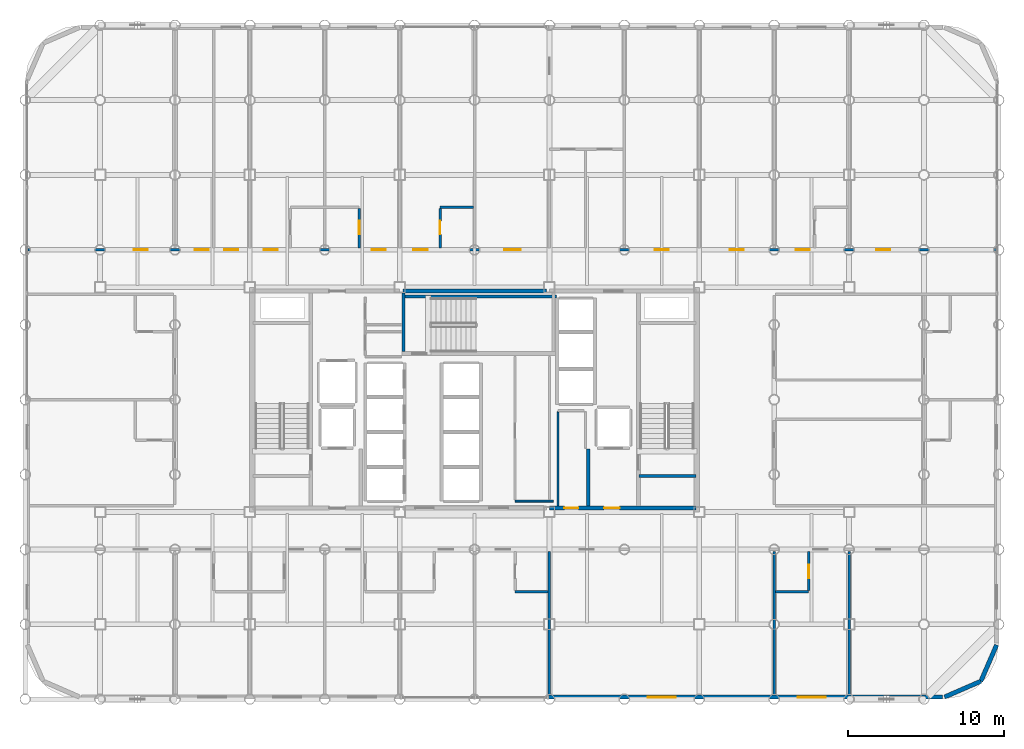
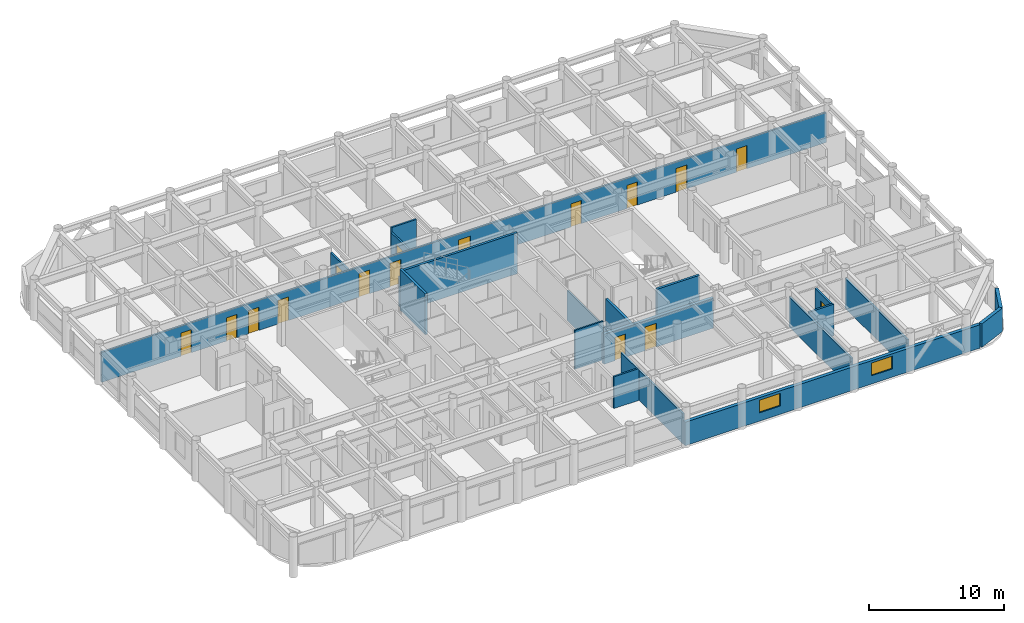
# One storey, part 19 of 22: 21 walls, 16 doors, 2 windows, 18 openings.
"""IFC4 building model written with IfcOpenShell, lengths in metres."""

from ifc_helpers import new_model, si_unit, direction, frame, frame_2d, origin, place, context, subcontext, project, spatial, rectangle, extrude, material, layer, layer_set, type_object, element, fill, save


model = new_model("IFC4")

# Units and contexts
model_context = context("Model", 3, precision=1e-05, world=origin(), true_north=direction((0.0, 1.0)))
body_context = subcontext(model_context, "Body", "Model", "MODEL_VIEW")
ifc_project = project(units=[si_unit("LENGTHUNIT", "METRE"), si_unit("AREAUNIT", "SQUARE_METRE"), si_unit("VOLUMEUNIT", "CUBIC_METRE"), si_unit("PLANEANGLEUNIT", "RADIAN"), si_unit("MASSUNIT", "GRAM", prefix="KILO")], contexts=[model_context])

# Site, building, storey
site_placement = place(None, origin())
site = spatial("IfcSite", under=ifc_project, at=site_placement, CompositionType="ELEMENT")
building_placement = place(site_placement, origin())
building = spatial("IfcBuilding", under=site, at=building_placement, Name="Kallvorn Hotel Tower", CompositionType="ELEMENT")
storey_placement = place(building_placement, frame((0.0, 0.0, 113.699951171875)))
storey = spatial("IfcBuildingStorey", under=building, at=storey_placement, Name="L27", CompositionType="ELEMENT", Elevation=113.699951171875)

# Walls
ifc_material_1 = material(Name="Fire-rated double-layer acoustic gypsum drywall EI 60")
ifc_layer_1 = layer(ifc_material_1, 0.159912109375)
ifc_layer_set_1 = layer_set([ifc_layer_1], Name="WL_DEMISE_160")
wall_type_1 = type_object("IfcWallType", Name="WL_DEMISE_160", PredefinedType="PARTITIONING", material=ifc_layer_set_1)
for number, where, z_axis, x_axis, name in (
    (1, (2.590087890625, -12.320068359375, 0.0), (0.0, 0.0, 1.0), (1.0, 0.0, 0.0), "L27 Suite 2709 Superior Twin Room Partition"),
    (2, (19.280029296875, -12.320068359375, 0.0), (0.0, 0.0, 1.0), (1.0, 0.0, 0.0), "L27 Suite 2710 Superior Twin Room Partition"),
):
    element("IfcWall", number, at=place(storey_placement, frame(where, z_axis=z_axis, x_axis=x_axis)), inside=storey, type_object=wall_type_1, Name=name, PredefinedType="PARTITIONING", context=body_context, shape_type="SweptSolid", body=[
        extrude(rectangle(XDim=2.1298828125, YDim=0.159912109375, at=frame_2d((1.06494140625, 0.0))), origin(), (0.0, 0.0, 1.0), 2.8701171875),
    ])

# Wall, openings, doors
wall_1_placement = place(storey_placement, frame((-28.6298828125, 9.60009765625, 0.0), z_axis=(0.0, 0.0, 1.0), x_axis=(1.0, 0.0, 0.0)))
wall_1 = element("IfcWall", 3, at=wall_1_placement, inside=storey, type_object=wall_type_1, Name="L27 Suite 2711 Standard Twin Room Partition", PredefinedType="PARTITIONING", context=body_context, shape_type="SweptSolid", body=[
    extrude(rectangle(XDim=62.059814453125, YDim=0.159912109375, at=frame_2d((31.02978515625, 0.0))), origin(), (0.0, 0.0, 1.0), 2.719970703125),
])
opening_1_placement = place(wall_1_placement, frame((6.799560546875, 0.0, 0.0)))
opening_1 = element("IfcOpeningElement", 4, at=opening_1_placement, cuts=wall_1, Name="Opening SVD1", PredefinedType="OPENING", context=body_context, shape_type="SweptSolid", body=[
    extrude(rectangle(XDim=0.89990234375, YDim=2.10009765625, at=frame_2d((0.449951171875, 1.050048828125))), frame((0.0, 0.094970703125, 0.0), z_axis=(0.0, -1.0, 0.0), x_axis=(1.0, 0.0, 0.0)), (0.0, 0.0, 1.0), 0.18994140625),
])
opening_2_placement = place(wall_1_placement, frame((54.360595703125, 0.0, 0.0)))
opening_2 = element("IfcOpeningElement", 5, at=opening_2_placement, cuts=wall_1, Name="Opening SVD1", PredefinedType="OPENING", context=body_context, shape_type="SweptSolid", body=[
    extrude(rectangle(XDim=0.89990234375, YDim=2.10009765625, at=frame_2d((0.449951171875, 1.050048828125))), frame((0.0, 0.094970703125, 0.0), z_axis=(0.0, -1.0, 0.0), x_axis=(1.0, 0.0, 0.0)), (0.0, 0.0, 1.0), 0.18994140625),
])
opening_3_placement = place(wall_1_placement, frame((10.68994140625, 0.0, 0.0)))
opening_3 = element("IfcOpeningElement", 6, at=opening_3_placement, cuts=wall_1, Name="Opening SVD1", PredefinedType="OPENING", context=body_context, shape_type="SweptSolid", body=[
    extrude(rectangle(XDim=0.89990234375, YDim=2.10009765625, at=frame_2d((0.449951171875, 1.050048828125))), frame((0.0, 0.094970703125, 0.0), z_axis=(0.0, -1.0, 0.0), x_axis=(1.0, 0.0, 0.0)), (0.0, 0.0, 1.0), 0.18994140625),
])
opening_4_placement = place(wall_1_placement, frame((12.580078125, 0.0, 0.0)))
opening_4 = element("IfcOpeningElement", 7, at=opening_4_placement, cuts=wall_1, Name="Opening SVD1", PredefinedType="OPENING", context=body_context, shape_type="SweptSolid", body=[
    extrude(rectangle(XDim=0.89990234375, YDim=2.10009765625, at=frame_2d((0.449951171875, 1.050048828125))), frame((0.0, 0.094970703125, 0.0), z_axis=(0.0, -1.0, 0.0), x_axis=(1.0, 0.0, 0.0)), (0.0, 0.0, 1.0), 0.18994140625),
])
opening_5_placement = place(wall_1_placement, frame((15.10498046875, 0.0, 0.0)))
opening_5 = element("IfcOpeningElement", 8, at=opening_5_placement, cuts=wall_1, Name="Opening GD1", PredefinedType="OPENING", context=body_context, shape_type="SweptSolid", body=[
    extrude(rectangle(XDim=0.919921875, YDim=2.14990234375, at=frame_2d((0.4599609375, 1.074951171875))), frame((0.0, 0.094970703125, 0.0), z_axis=(0.0, -1.0, 0.0), x_axis=(1.0, 0.0, 0.0)), (0.0, 0.0, 1.0), 0.18994140625),
])
opening_6_placement = place(wall_1_placement, frame((22.034912109375, 0.0, 0.0)))
opening_6 = element("IfcOpeningElement", 9, at=opening_6_placement, cuts=wall_1, Name="Opening GD1", PredefinedType="OPENING", context=body_context, shape_type="SweptSolid", body=[
    extrude(rectangle(XDim=0.919921875, YDim=2.14990234375, at=frame_2d((0.4599609375, 1.074951171875))), frame((0.0, 0.094970703125, 0.0), z_axis=(0.0, -1.0, 0.0), x_axis=(1.0, 0.0, 0.0)), (0.0, 0.0, 1.0), 0.18994140625),
])
opening_7_placement = place(wall_1_placement, frame((24.705078125, 0.0, 0.0)))
opening_7 = element("IfcOpeningElement", 10, at=opening_7_placement, cuts=wall_1, Name="Opening GD1", PredefinedType="OPENING", context=body_context, shape_type="SweptSolid", body=[
    extrude(rectangle(XDim=0.919921875, YDim=2.14990234375, at=frame_2d((0.4599609375, 1.074951171875))), frame((0.0, 0.094970703125, 0.0), z_axis=(0.0, -1.0, 0.0), x_axis=(1.0, 0.0, 0.0)), (0.0, 0.0, 1.0), 0.18994140625),
])
opening_8_placement = place(wall_1_placement, frame((30.544921875, 0.0, 0.0)))
opening_8 = element("IfcOpeningElement", 11, at=opening_8_placement, cuts=wall_1, Name="Opening GD2", PredefinedType="OPENING", context=body_context, shape_type="SweptSolid", body=[
    extrude(rectangle(XDim=1.050048828125, YDim=2.199951171875, at=frame_2d((0.52490234375, 1.10009765625))), frame((0.0, 0.094970703125, 0.0), z_axis=(0.0, -1.0, 0.0), x_axis=(1.0, 0.0, 0.0)), (0.0, 0.0, 1.0), 0.18994140625),
])
opening_9_placement = place(wall_1_placement, frame((40.179931640625, 0.0, 0.0)))
opening_9 = element("IfcOpeningElement", 12, at=opening_9_placement, cuts=wall_1, Name="Opening SVD1", PredefinedType="OPENING", context=body_context, shape_type="SweptSolid", body=[
    extrude(rectangle(XDim=0.89990234375, YDim=2.10009765625, at=frame_2d((0.449951171875, 1.050048828125))), frame((0.0, 0.094970703125, 0.0), z_axis=(0.0, -1.0, 0.0), x_axis=(1.0, 0.0, 0.0)), (0.0, 0.0, 1.0), 0.18994140625),
])
opening_10_placement = place(wall_1_placement, frame((44.97998046875, 0.0, 0.0)))
opening_10 = element("IfcOpeningElement", 13, at=opening_10_placement, cuts=wall_1, Name="Opening SVD1", PredefinedType="OPENING", context=body_context, shape_type="SweptSolid", body=[
    extrude(rectangle(XDim=0.89990234375, YDim=2.10009765625, at=frame_2d((0.449951171875, 1.050048828125))), frame((0.0, 0.094970703125, 0.0), z_axis=(0.0, -1.0, 0.0), x_axis=(1.0, 0.0, 0.0)), (0.0, 0.0, 1.0), 0.18994140625),
])
opening_11_placement = place(wall_1_placement, frame((49.199951171875, 0.0, 0.0)))
opening_11 = element("IfcOpeningElement", 14, at=opening_11_placement, cuts=wall_1, Name="Opening GD1", PredefinedType="OPENING", context=body_context, shape_type="SweptSolid", body=[
    extrude(rectangle(XDim=0.919921875, YDim=2.14990234375, at=frame_2d((0.4599609375, 1.074951171875))), frame((0.0, 0.094970703125, 0.0), z_axis=(0.0, -1.0, 0.0), x_axis=(1.0, 0.0, 0.0)), (0.0, 0.0, 1.0), 0.18994140625),
])
ifc_material_2 = material(Name="Solid-core walnut veneer fire-rated timber door leaf", Category="wood")
door_type_1 = type_object("IfcDoorType", Name="DR_GUEST_920x2150", OperationType="NOTDEFINED", PredefinedType="DOOR", material=ifc_material_2)
door_1_placement = place(opening_5_placement, origin())
door_1 = element("IfcDoor", 15, at=door_1_placement, inside=storey, type_object=door_type_1, Name="L27 Suite 2711 Standard Twin Room Door", OperationType="SINGLE_SWING_LEFT", OverallHeight=2.14990234375, OverallWidth=0.919921875, PredefinedType="DOOR", context=body_context, shape_type="SweptSolid", body=[
    extrude(rectangle(XDim=0.919921875, YDim=2.14990234375, at=frame_2d((0.4599609375, 1.074951171875))), frame((0.0, 0.02490234375, 0.0), z_axis=(0.0, -1.0, 0.0), x_axis=(1.0, 0.0, 0.0)), (0.0, 0.0, 1.0), 0.050048828125),
])
fill(opening_5, door_1)
door_2_placement = place(opening_6_placement, origin())
door_2 = element("IfcDoor", 16, at=door_2_placement, inside=storey, type_object=door_type_1, Name="L27 Suite 2712 Standard Twin Room Door", OperationType="SINGLE_SWING_LEFT", OverallHeight=2.14990234375, OverallWidth=0.919921875, PredefinedType="DOOR", context=body_context, shape_type="SweptSolid", body=[
    extrude(rectangle(XDim=0.919921875, YDim=2.14990234375, at=frame_2d((0.4599609375, 1.074951171875))), frame((0.0, 0.02490234375, 0.0), z_axis=(0.0, -1.0, 0.0), x_axis=(1.0, 0.0, 0.0)), (0.0, 0.0, 1.0), 0.050048828125),
])
fill(opening_6, door_2)
door_3_placement = place(opening_7_placement, origin())
door_3 = element("IfcDoor", 17, at=door_3_placement, inside=storey, type_object=door_type_1, Name="L27 Suite 2713 Standard Twin Room Door", OperationType="SINGLE_SWING_RIGHT", OverallHeight=2.14990234375, OverallWidth=0.919921875, PredefinedType="DOOR", context=body_context, shape_type="SweptSolid", body=[
    extrude(rectangle(XDim=0.919921875, YDim=2.14990234375, at=frame_2d((0.4599609375, 1.074951171875))), frame((0.0, 0.02490234375, 0.0), z_axis=(0.0, -1.0, 0.0), x_axis=(1.0, 0.0, 0.0)), (0.0, 0.0, 1.0), 0.050048828125),
])
fill(opening_7, door_3)
door_4_placement = place(opening_11_placement, origin())
door_4 = element("IfcDoor", 18, at=door_4_placement, inside=storey, type_object=door_type_1, Name="L27 Suite 2715 Standard Twin Room Door", OperationType="SINGLE_SWING_LEFT", OverallHeight=2.14990234375, OverallWidth=0.919921875, PredefinedType="DOOR", context=body_context, shape_type="SweptSolid", body=[
    extrude(rectangle(XDim=0.919921875, YDim=2.14990234375, at=frame_2d((0.4599609375, 1.074951171875))), frame((0.0, 0.02490234375, 0.0), z_axis=(0.0, -1.0, 0.0), x_axis=(1.0, 0.0, 0.0)), (0.0, 0.0, 1.0), 0.050048828125),
])
fill(opening_11, door_4)
ifc_material_3 = material(Name="Galvanised painted steel fire-rated door assembly", Category="steel")
door_type_2 = type_object("IfcDoorType", Name="DR_SERV_900x2100", OperationType="NOTDEFINED", PredefinedType="DOOR", material=ifc_material_3)
door_5_placement = place(opening_1_placement, origin())
door_5 = element("IfcDoor", 19, at=door_5_placement, inside=storey, type_object=door_type_2, Name="L27 L27 North-West Fitness Gymnasium Door", OperationType="SINGLE_SWING_RIGHT", OverallHeight=2.10009765625, OverallWidth=0.89990234375, PredefinedType="DOOR", context=body_context, shape_type="SweptSolid", body=[
    extrude(rectangle(XDim=0.89990234375, YDim=2.10009765625, at=frame_2d((0.449951171875, 1.050048828125))), frame((0.0, 0.02490234375, 0.0), z_axis=(0.0, -1.0, 0.0), x_axis=(1.0, 0.0, 0.0)), (0.0, 0.0, 1.0), 0.050048828125),
])
fill(opening_1, door_5)
door_6_placement = place(opening_2_placement, origin())
door_6 = element("IfcDoor", 20, at=door_6_placement, inside=storey, type_object=door_type_2, Name="L27 L27 North-East Reading Club Door", OperationType="SINGLE_SWING_RIGHT", OverallHeight=2.10009765625, OverallWidth=0.89990234375, PredefinedType="DOOR", context=body_context, shape_type="SweptSolid", body=[
    extrude(rectangle(XDim=0.89990234375, YDim=2.10009765625, at=frame_2d((0.449951171875, 1.050048828125))), frame((0.0, 0.02490234375, 0.0), z_axis=(0.0, -1.0, 0.0), x_axis=(1.0, 0.0, 0.0)), (0.0, 0.0, 1.0), 0.050048828125),
])
fill(opening_2, door_6)
door_7_placement = place(opening_3_placement, origin())
door_7 = element("IfcDoor", 21, at=door_7_placement, inside=storey, type_object=door_type_2, Name="L27 Housekeeping and Linen Room Door", OperationType="SINGLE_SWING_RIGHT", OverallHeight=2.10009765625, OverallWidth=0.89990234375, PredefinedType="DOOR", context=body_context, shape_type="SweptSolid", body=[
    extrude(rectangle(XDim=0.89990234375, YDim=2.10009765625, at=frame_2d((0.449951171875, 1.050048828125))), frame((0.0, 0.02490234375, 0.0), z_axis=(0.0, -1.0, 0.0), x_axis=(1.0, 0.0, 0.0)), (0.0, 0.0, 1.0), 0.050048828125),
])
fill(opening_3, door_7)
door_8_placement = place(opening_4_placement, origin())
door_8 = element("IfcDoor", 22, at=door_8_placement, inside=storey, type_object=door_type_2, Name="L27 Guest Tea and Refreshment Bar Door", OperationType="SINGLE_SWING_RIGHT", OverallHeight=2.10009765625, OverallWidth=0.89990234375, PredefinedType="DOOR", context=body_context, shape_type="SweptSolid", body=[
    extrude(rectangle(XDim=0.89990234375, YDim=2.10009765625, at=frame_2d((0.449951171875, 1.050048828125))), frame((0.0, 0.02490234375, 0.0), z_axis=(0.0, -1.0, 0.0), x_axis=(1.0, 0.0, 0.0)), (0.0, 0.0, 1.0), 0.050048828125),
])
fill(opening_4, door_8)
door_9_placement = place(opening_9_placement, origin())
door_9 = element("IfcDoor", 23, at=door_9_placement, inside=storey, type_object=door_type_2, Name="L27 L27 Diplomatic Summit Conference Boardroom 6-1 Door", OperationType="SINGLE_SWING_RIGHT", OverallHeight=2.10009765625, OverallWidth=0.89990234375, PredefinedType="DOOR", context=body_context, shape_type="SweptSolid", body=[
    extrude(rectangle(XDim=0.89990234375, YDim=2.10009765625, at=frame_2d((0.449951171875, 1.050048828125))), frame((0.0, 0.02490234375, 0.0), z_axis=(0.0, -1.0, 0.0), x_axis=(1.0, 0.0, 0.0)), (0.0, 0.0, 1.0), 0.050048828125),
])
fill(opening_9, door_9)
door_10_placement = place(opening_10_placement, origin())
door_10 = element("IfcDoor", 24, at=door_10_placement, inside=storey, type_object=door_type_2, Name="L27 L27 Diplomatic Summit Conference Boardroom 6-2 Door", OperationType="SINGLE_SWING_LEFT", OverallHeight=2.10009765625, OverallWidth=0.89990234375, PredefinedType="DOOR", context=body_context, shape_type="SweptSolid", body=[
    extrude(rectangle(XDim=0.89990234375, YDim=2.10009765625, at=frame_2d((0.449951171875, 1.050048828125))), frame((0.0, 0.02490234375, 0.0), z_axis=(0.0, -1.0, 0.0), x_axis=(1.0, 0.0, 0.0)), (0.0, 0.0, 1.0), 0.050048828125),
])
fill(opening_10, door_10)
ifc_material_4 = material(Name="Solid-core walnut veneer fire-rated timber door leaf", Category="wood")
door_type_3 = type_object("IfcDoorType", Name="DR_SUITE_1050x2200", OperationType="NOTDEFINED", PredefinedType="DOOR", material=ifc_material_4)
door_11_placement = place(opening_8_placement, origin())
door_11 = element("IfcDoor", 25, at=door_11_placement, inside=storey, type_object=door_type_3, Name="L27 Suite 2714 Junior Living Salon Door", OperationType="SINGLE_SWING_LEFT", OverallHeight=2.199951171875, OverallWidth=1.050048828125, PredefinedType="DOOR", context=body_context, shape_type="SweptSolid", body=[
    extrude(rectangle(XDim=1.050048828125, YDim=2.199951171875, at=frame_2d((0.52490234375, 1.10009765625))), frame((0.0, 0.02490234375, 0.0), z_axis=(0.0, -1.0, 0.0), x_axis=(1.0, 0.0, 0.0)), (0.0, 0.0, 1.0), 0.050048828125),
])
fill(opening_8, door_11)

# Wall
wall_2_placement = place(storey_placement, frame((-2.2099609375, 12.320068359375, 0.0), z_axis=(0.0, 0.0, 1.0), x_axis=(1.0, 0.0, 0.0)))
element("IfcWall", 26, at=wall_2_placement, inside=storey, type_object=wall_type_1, Name="L27 Suite 2713 Standard Twin Room Partition", PredefinedType="PARTITIONING", context=body_context, shape_type="SweptSolid", body=[
    extrude(rectangle(XDim=2.1298828125, YDim=0.159912109375, at=frame_2d((1.06494140625, 0.0))), origin(), (0.0, 0.0, 1.0), 3.1201171875),
])

# Wall, opening, door
wall_3_placement = place(storey_placement, frame((-7.389892578125, 9.719970703125, 0.0), z_axis=(0.0, 0.0, 1.0), x_axis=(0.0, 1.0, 0.0)))
wall_3 = element("IfcWall", 27, at=wall_3_placement, inside=storey, type_object=wall_type_1, Name="L27 Suite 2712 Standard Twin Room Partition", PredefinedType="PARTITIONING", context=body_context, shape_type="SweptSolid", body=[
    extrude(rectangle(XDim=2.51513671875, YDim=0.159912109375, at=frame_2d((1.257568359375, 0.0))), origin(), (0.0, 0.0, 1.0), 2.719970703125),
])
opening_12_placement = place(wall_3_placement, frame((0.8701171875, 0.0, 0.0)))
opening_12 = element("IfcOpeningElement", 28, at=opening_12_placement, cuts=wall_3, Name="Opening BD-I", PredefinedType="OPENING", context=body_context, shape_type="SweptSolid", body=[
    extrude(rectangle(XDim=0.860107421875, YDim=2.10009765625, at=frame_2d((0.43017578125, 1.050048828125))), frame((0.0, 0.094970703125, 0.0), z_axis=(0.0, -1.0, 0.0), x_axis=(1.0, 0.0, 0.0)), (0.0, 0.0, 1.0), 0.18994140625),
])
ifc_material_5 = material(Name="Solid-core walnut veneer fire-rated timber door leaf", Category="wood")
door_type_4 = type_object("IfcDoorType", Name="DR_BATH_860x2100", OperationType="NOTDEFINED", PredefinedType="DOOR", material=ifc_material_5)
door_12_placement = place(opening_12_placement, origin())
door_12 = element("IfcDoor", 29, at=door_12_placement, inside=storey, type_object=door_type_4, Name="L27 Suite 2712 En-Suite Bathroom Door", OperationType="SINGLE_SWING_RIGHT", OverallHeight=2.10009765625, OverallWidth=0.860107421875, PredefinedType="DOOR", context=body_context, shape_type="SweptSolid", body=[
    extrude(rectangle(XDim=0.860107421875, YDim=2.10009765625, at=frame_2d((0.43017578125, 1.050048828125))), frame((0.0, 0.02490234375, 0.0), z_axis=(0.0, -1.0, 0.0), x_axis=(1.0, 0.0, 0.0)), (0.0, 0.0, 1.0), 0.050048828125),
])
fill(opening_12, door_12)

wall_4_placement = place(storey_placement, frame((-2.2099609375, 9.719970703125, 0.0), z_axis=(0.0, 0.0, 1.0), x_axis=(0.0, 1.0, 0.0)))
wall_4 = element("IfcWall", 30, at=wall_4_placement, inside=storey, type_object=wall_type_1, Name="L27 Suite 2713 Standard Twin Room Partition", PredefinedType="PARTITIONING", context=body_context, shape_type="SweptSolid", body=[
    extrude(rectangle(XDim=2.51513671875, YDim=0.159912109375, at=frame_2d((1.257568359375, 0.0))), origin(), (0.0, 0.0, 1.0), 2.719970703125),
])
opening_13_placement = place(wall_4_placement, frame((0.8701171875, 0.0, 0.0)))
opening_13 = element("IfcOpeningElement", 31, at=opening_13_placement, cuts=wall_4, Name="Opening BD-I", PredefinedType="OPENING", context=body_context, shape_type="SweptSolid", body=[
    extrude(rectangle(XDim=0.860107421875, YDim=2.10009765625, at=frame_2d((0.43017578125, 1.050048828125))), frame((0.0, 0.094970703125, 0.0), z_axis=(0.0, -1.0, 0.0), x_axis=(1.0, 0.0, 0.0)), (0.0, 0.0, 1.0), 0.18994140625),
])
door_13_placement = place(opening_13_placement, origin())
door_13 = element("IfcDoor", 32, at=door_13_placement, inside=storey, type_object=door_type_4, Name="L27 Suite 2713 En-Suite Bathroom Door", OperationType="SINGLE_SWING_LEFT", OverallHeight=2.10009765625, OverallWidth=0.860107421875, PredefinedType="DOOR", context=body_context, shape_type="SweptSolid", body=[
    extrude(rectangle(XDim=0.860107421875, YDim=2.10009765625, at=frame_2d((0.43017578125, 1.050048828125))), frame((0.0, 0.02490234375, 0.0), z_axis=(0.0, -1.0, 0.0), x_axis=(1.0, 0.0, 0.0)), (0.0, 0.0, 1.0), 0.050048828125),
])
fill(opening_13, door_13)

# Walls
for number, where, z_axis, x_axis, name in (
    (33, (4.800048828125, -18.909912109375, 0.0), (0.0, 0.0, 1.0), (0.0, 1.0, 0.0), "L27 Suite 2709 Superior Twin Room Partition"),
    (34, (19.199951171875, -18.909912109375, 0.0), (0.0, 0.0, 1.0), (0.0, 1.0, 0.0), "L27 Suite 2710 Superior Twin Room Partition"),
):
    element("IfcWall", number, at=place(storey_placement, frame(where, z_axis=z_axis, x_axis=x_axis)), inside=storey, type_object=wall_type_1, Name=name, PredefinedType="PARTITIONING", context=body_context, shape_type="SweptSolid", body=[
        extrude(rectangle(XDim=9.18994140625, YDim=0.159912109375, at=frame_2d((4.594970703125, 0.0))), origin(), (0.0, 0.0, 1.0), 2.719970703125),
    ])

# Wall, opening, door
wall_5_placement = place(storey_placement, frame((21.409912109375, -12.235107421875, 0.0), z_axis=(0.0, 0.0, 1.0), x_axis=(0.0, 1.0, 0.0)))
wall_5 = element("IfcWall", 35, at=wall_5_placement, inside=storey, type_object=wall_type_1, Name="L27 Suite 2710 Superior Twin Room Partition", PredefinedType="PARTITIONING", context=body_context, shape_type="SweptSolid", body=[
    extrude(rectangle(XDim=2.51513671875, YDim=0.159912109375, at=frame_2d((1.257568359375, 0.0))), origin(), (0.0, 0.0, 1.0), 2.719970703125),
])
opening_14_placement = place(wall_5_placement, frame((0.784912109375, 0.0, 0.0)))
opening_14 = element("IfcOpeningElement", 36, at=opening_14_placement, cuts=wall_5, Name="Opening BD-I", PredefinedType="OPENING", context=body_context, shape_type="SweptSolid", body=[
    extrude(rectangle(XDim=0.860107421875, YDim=2.10009765625, at=frame_2d((0.43017578125, 1.050048828125))), frame((0.0, 0.094970703125, 0.0), z_axis=(0.0, -1.0, 0.0), x_axis=(1.0, 0.0, 0.0)), (0.0, 0.0, 1.0), 0.18994140625),
])
door_14_placement = place(opening_14_placement, origin())
door_14 = element("IfcDoor", 37, at=door_14_placement, inside=storey, type_object=door_type_4, Name="L27 Suite 2710 En-Suite Bathroom Door", OperationType="SINGLE_SWING_RIGHT", OverallHeight=2.10009765625, OverallWidth=0.860107421875, PredefinedType="DOOR", context=body_context, shape_type="SweptSolid", body=[
    extrude(rectangle(XDim=0.860107421875, YDim=2.10009765625, at=frame_2d((0.43017578125, 1.050048828125))), frame((0.0, 0.02490234375, 0.0), z_axis=(0.0, -1.0, 0.0), x_axis=(1.0, 0.0, 0.0)), (0.0, 0.0, 1.0), 0.050048828125),
])
fill(opening_14, door_14)

# Walls
wall_6_placement = place(storey_placement, frame((24.0, -18.909912109375, 0.0), z_axis=(0.0, 0.0, 1.0), x_axis=(0.0, 1.0, 0.0)))
element("IfcWall", 38, at=wall_6_placement, inside=storey, type_object=wall_type_1, Name="L27 Suite 2710 Superior Twin Room Partition", PredefinedType="PARTITIONING", context=body_context, shape_type="SweptSolid", body=[
    extrude(rectangle(XDim=9.18994140625, YDim=0.159912109375, at=frame_2d((4.594970703125, 0.0))), origin(), (0.0, 0.0, 1.0), 2.719970703125),
])
ifc_material_6 = material(Name="Precast basalt-clad insulated concrete wall C40/50", Category="masonry")
ifc_layer_2 = layer(ifc_material_6, 0.280029296875)
ifc_layer_set_2 = layer_set([ifc_layer_2], Name="WL_EXT_LOGGIA_280")
wall_type_2 = type_object("IfcWallType", Name="WL_EXT_LOGGIA_280", PredefinedType="SOLIDWALL", material=ifc_layer_set_2)
wall_7_placement = place(storey_placement, frame((30.120849609375, -19.057861328125, 0.0), z_axis=(0.0, 0.0, 1.0), x_axis=(0.917060872934, 0.398747232384, 0.0)))
element("IfcWall", 39, at=wall_7_placement, inside=storey, type_object=wall_type_2, Name="L27 Rounded Corner Exterior Wall SE1", PredefinedType="SOLIDWALL", context=body_context, shape_type="SweptSolid", body=[
    extrude(rectangle(XDim=2.5361328125, YDim=0.280029296875, at=frame_2d((1.26806640625, 0.0))), origin(), (0.0, 0.0, 1.0), 2.1201171875),
])
wall_8_placement = place(storey_placement, frame((32.446533203125, -18.046630859375, 0.0), z_axis=(0.0, 0.0, 1.0), x_axis=(0.398792985289, 0.917040977756, 0.0)))
element("IfcWall", 40, at=wall_8_placement, inside=storey, type_object=wall_type_2, Name="L27 Rounded Corner Exterior Wall SE2", PredefinedType="SOLIDWALL", context=body_context, shape_type="SweptSolid", body=[
    extrude(rectangle(XDim=2.536376953125, YDim=0.280029296875, at=frame_2d((1.26806640625, 0.0))), origin(), (0.0, 0.0, 1.0), 2.1201171875),
])

# Wall, openings, windows
wall_9_placement = place(storey_placement, frame((4.75, -19.06005859375, 0.0), z_axis=(0.0, 0.0, 1.0), x_axis=(1.0, 0.0, 0.0)))
wall_9 = element("IfcWall", 41, at=wall_9_placement, inside=storey, type_object=wall_type_2, Name="L27 Exterior Envelope Wall EW-L27-SE", PredefinedType="SOLIDWALL", context=body_context, shape_type="SweptSolid", body=[
    extrude(rectangle(XDim=25.25, YDim=0.280029296875, at=frame_2d((12.625, 0.0))), origin(), (0.0, 0.0, 1.0), 2.1201171875),
])
opening_15_placement = place(wall_9_placement, frame((6.35009765625, 0.0, 0.75)))
opening_15 = element("IfcOpeningElement", 42, at=opening_15_placement, cuts=wall_9, Name="Opening W04A", PredefinedType="OPENING", context=body_context, shape_type="SweptSolid", body=[
    extrude(rectangle(XDim=1.800048828125, YDim=1.14990234375, at=frame_2d((0.89990234375, 0.574951171875))), frame((0.0, 0.155029296875, 0.0), z_axis=(0.0, -1.0, 0.0), x_axis=(1.0, 0.0, 0.0)), (0.0, 0.0, 1.0), 0.31005859375),
])
opening_16_placement = place(wall_9_placement, frame((15.949951171875, 0.0, 0.75)))
opening_16 = element("IfcOpeningElement", 43, at=opening_16_placement, cuts=wall_9, Name="Opening W04A", PredefinedType="OPENING", context=body_context, shape_type="SweptSolid", body=[
    extrude(rectangle(XDim=1.800048828125, YDim=1.14990234375, at=frame_2d((0.89990234375, 0.574951171875))), frame((0.0, 0.155029296875, 0.0), z_axis=(0.0, -1.0, 0.0), x_axis=(1.0, 0.0, 0.0)), (0.0, 0.0, 1.0), 0.31005859375),
])
ifc_material_7 = material(Name="Double-glazed low-e solar-control dark glass", Category="glass")
window_type = type_object("IfcWindowType", Name="WN_HTL_1800x1150", PartitioningType="SINGLE_PANEL", PredefinedType="WINDOW", material=ifc_material_7)
window_1_placement = place(opening_15_placement, origin())
window_1 = element("IfcWindow", 44, at=window_1_placement, inside=storey, type_object=window_type, Name="L27 Guestroom Exterior Window 08", OverallHeight=1.14990234375, OverallWidth=1.800048828125, PartitioningType="SINGLE_PANEL", PredefinedType="WINDOW", context=body_context, shape_type="SweptSolid", body=[
    extrude(rectangle(XDim=1.800048828125, YDim=1.14990234375, at=frame_2d((0.89990234375, 0.574951171875))), frame((0.0, 0.030029296875, 0.0), z_axis=(0.0, -1.0, 0.0), x_axis=(1.0, 0.0, 0.0)), (0.0, 0.0, 1.0), 0.06005859375),
])
fill(opening_15, window_1)
window_2_placement = place(opening_16_placement, origin())
window_2 = element("IfcWindow", 45, at=window_2_placement, inside=storey, type_object=window_type, Name="L27 Guestroom Exterior Window 09", OverallHeight=1.14990234375, OverallWidth=1.800048828125, PartitioningType="SINGLE_PANEL", PredefinedType="WINDOW", context=body_context, shape_type="SweptSolid", body=[
    extrude(rectangle(XDim=1.800048828125, YDim=1.14990234375, at=frame_2d((0.89990234375, 0.574951171875))), frame((0.0, 0.030029296875, 0.0), z_axis=(0.0, -1.0, 0.0), x_axis=(1.0, 0.0, 0.0)), (0.0, 0.0, 1.0), 0.06005859375),
])
fill(opening_16, window_2)

# Walls
ifc_material_8 = material(Name="Concrete C40/50", Category="concrete")
ifc_layer_3 = layer(ifc_material_8, 0.219970703125)
ifc_layer_set_3 = layer_set([ifc_layer_3], Name="WL_FFL_220")
wall_type_3 = type_object("IfcWallType", Name="WL_FFL_220", PredefinedType="SOLIDWALL", material=ifc_layer_set_3)
wall_10_placement = place(storey_placement, frame((7.300048828125, -6.820068359375, 0.0), z_axis=(0.0, 0.0, 1.0), x_axis=(0.0, 1.0, 0.0)))
element("IfcWall", 46, at=wall_10_placement, inside=storey, type_object=wall_type_3, Name="L27 Firefighting Lobby East Divider Wall", PredefinedType="SOLIDWALL", context=body_context, shape_type="SweptSolid", body=[
    extrude(rectangle(XDim=3.670166015625, YDim=0.219970703125, at=frame_2d((1.8349609375, 0.0))), origin(), (0.0, 0.0, 1.0), 2.719970703125),
])
ifc_material_9 = material(Name="Concrete C40/50", Category="concrete")
ifc_layer_4 = layer(ifc_material_9, 0.199951171875)
ifc_layer_set_4 = layer_set([ifc_layer_4], Name="WL_HOIST_200")
wall_type_4 = type_object("IfcWallType", Name="WL_HOIST_200", PredefinedType="SOLIDWALL", material=ifc_layer_set_4)
wall_11_placement = place(storey_placement, frame((10.550048828125, -4.89990234375, -0.179931640625), z_axis=(0.0, 0.0, 1.0), x_axis=(1.0, 0.0, 0.0)))
element("IfcWall", 47, at=wall_11_placement, inside=storey, type_object=wall_type_4, Name="L27 Stair ST2 South Wall", PredefinedType="SOLIDWALL", context=body_context, shape_type="SweptSolid", body=[
    extrude(rectangle(XDim=3.64990234375, YDim=0.199951171875, at=frame_2d((1.824951171875, 0.0))), origin(), (0.0, 0.0, 1.0), 3.699951171875),
])
wall_12_placement = place(storey_placement, frame((-4.64990234375, 6.610107421875, -0.179931640625), z_axis=(0.0, 0.0, 1.0), x_axis=(1.0, 0.0, 0.0)))
element("IfcWall", 48, at=wall_12_placement, inside=storey, type_object=wall_type_4, Name="L27 Stair ST3 Shaft North Wall", PredefinedType="SOLIDWALL", context=body_context, shape_type="SweptSolid", body=[
    extrude(rectangle(XDim=9.89990234375, YDim=0.199951171875, at=frame_2d((4.949951171875, 0.0))), origin(), (0.0, 0.0, 1.0), 3.699951171875),
])
wall_13_placement = place(storey_placement, frame((-4.550048828125, 3.080078125, -0.179931640625), z_axis=(0.0, 0.0, 1.0), x_axis=(0.0, 1.0, 0.0)))
element("IfcWall", 49, at=wall_13_placement, inside=storey, type_object=wall_type_4, Name="L27 Stair ST3 West Wall", PredefinedType="SOLIDWALL", context=body_context, shape_type="SweptSolid", body=[
    extrude(rectangle(XDim=3.739990234375, YDim=0.199951171875, at=frame_2d((1.8701171875, 0.0))), origin(), (0.0, 0.0, 1.0), 3.699951171875),
])
ifc_material_10 = material(Name="Fire-rated double-layer acoustic gypsum drywall EI 60")
ifc_layer_5 = layer(ifc_material_10, 0.1201171875)
ifc_layer_set_5 = layer_set([ifc_layer_5], Name="WL_INT_120")
wall_type_5 = type_object("IfcWallType", Name="WL_INT_120", PredefinedType="PARTITIONING", material=ifc_layer_set_5)
wall_14_placement = place(storey_placement, frame((2.60009765625, -6.5, 0.0), z_axis=(0.0, 0.0, 1.0), x_axis=(1.0, 0.0, 0.0)))
element("IfcWall", 50, at=wall_14_placement, inside=storey, type_object=wall_type_5, Name="L27 East Core Consolidated Linen and Supply Store Partition", PredefinedType="PARTITIONING", context=body_context, shape_type="SweptSolid", body=[
    extrude(rectangle(XDim=2.449951171875, YDim=0.1201171875, at=frame_2d((1.22509765625, 0.0))), origin(), (0.0, 0.0, 1.0), 3.52001953125),
])
wall_15_placement = place(storey_placement, frame((5.35009765625, -6.800048828125, 0.0), z_axis=(0.0, 0.0, 1.0), x_axis=(0.0, 1.0, 0.0)))
element("IfcWall", 51, at=wall_15_placement, inside=storey, type_object=wall_type_5, Name="L27 Core Utility and Meter Room Partition", PredefinedType="PARTITIONING", context=body_context, shape_type="SweptSolid", body=[
    extrude(rectangle(XDim=6.01513671875, YDim=0.1201171875, at=frame_2d((3.007568359375, 0.0))), origin(), (0.0, 0.0, 1.0), 2.719970703125),
])

# Wall, openings, doors
ifc_material_11 = material(Name="Concrete C40/50", Category="concrete")
ifc_layer_6 = layer(ifc_material_11, 0.25)
ifc_layer_set_6 = layer_set([ifc_layer_6], Name="WL_SHAFT_250")
wall_type_6 = type_object("IfcWallType", Name="WL_SHAFT_250", PredefinedType="SOLIDWALL", material=ifc_layer_set_6)
wall_16_placement = place(storey_placement, frame((4.800048828125, -6.949951171875, 0.0), z_axis=(0.0, 0.0, 1.0), x_axis=(1.0, 0.0, 0.0)))
wall_16 = element("IfcWall", 52, at=wall_16_placement, inside=storey, type_object=wall_type_6, Name="L27 Core South-East Wall", PredefinedType="SOLIDWALL", context=body_context, shape_type="SweptSolid", body=[
    extrude(rectangle(XDim=9.39990234375, YDim=0.25, at=frame_2d((4.699951171875, 0.0))), origin(), (0.0, 0.0, 1.0), 2.719970703125),
])
opening_17_placement = place(wall_16_placement, frame((3.5, 0.0, 0.0)))
opening_17 = element("IfcOpeningElement", 53, at=opening_17_placement, cuts=wall_16, Name="Opening FD1", PredefinedType="OPENING", context=body_context, shape_type="SweptSolid", body=[
    extrude(rectangle(XDim=1.0, YDim=2.14990234375, at=frame_2d((0.5, 1.074951171875))), frame((0.0, 0.139892578125, 0.0), z_axis=(0.0, -1.0, 0.0), x_axis=(1.0, 0.0, 0.0)), (0.0, 0.0, 1.0), 0.280029296875),
])
opening_18_placement = place(wall_16_placement, frame((0.949951171875, 0.0, 0.0)))
opening_18 = element("IfcOpeningElement", 54, at=opening_18_placement, cuts=wall_16, Name="Opening SVD1", PredefinedType="OPENING", context=body_context, shape_type="SweptSolid", body=[
    extrude(rectangle(XDim=0.89990234375, YDim=2.10009765625, at=frame_2d((0.449951171875, 1.050048828125))), frame((0.0, 0.139892578125, 0.0), z_axis=(0.0, -1.0, 0.0), x_axis=(1.0, 0.0, 0.0)), (0.0, 0.0, 1.0), 0.280029296875),
])
ifc_material_12 = material(Name="Galvanised painted steel fire-rated door assembly", Category="steel")
door_type_5 = type_object("IfcDoorType", Name="DR_FFL_1000x2150", OperationType="NOTDEFINED", PredefinedType="DOOR", material=ifc_material_12)
door_15_placement = place(opening_17_placement, origin())
door_15 = element("IfcDoor", 55, at=door_15_placement, inside=storey, type_object=door_type_5, Name="L27 Firefighting Lobby East Door", OperationType="SINGLE_SWING_RIGHT", OverallHeight=2.14990234375, OverallWidth=1.0, PredefinedType="DOOR", context=body_context, shape_type="SweptSolid", body=[
    extrude(rectangle(XDim=1.0, YDim=2.14990234375, at=frame_2d((0.5, 1.074951171875))), frame((0.0, 0.02490234375, 0.0), z_axis=(0.0, -1.0, 0.0), x_axis=(1.0, 0.0, 0.0)), (0.0, 0.0, 1.0), 0.050048828125),
])
fill(opening_17, door_15)
door_16_placement = place(opening_18_placement, origin())
door_16 = element("IfcDoor", 56, at=door_16_placement, inside=storey, type_object=door_type_2, Name="L27 Core Utility and Meter Room Door", OperationType="SINGLE_SWING_RIGHT", OverallHeight=2.10009765625, OverallWidth=0.89990234375, PredefinedType="DOOR", context=body_context, shape_type="SweptSolid", body=[
    extrude(rectangle(XDim=0.89990234375, YDim=2.10009765625, at=frame_2d((0.449951171875, 1.050048828125))), frame((0.0, 0.02490234375, 0.0), z_axis=(0.0, -1.0, 0.0), x_axis=(1.0, 0.0, 0.0)), (0.0, 0.0, 1.0), 0.050048828125),
])
fill(opening_18, door_16)

# Wall
wall_17_placement = place(storey_placement, frame((-4.60009765625, 6.949951171875, 0.0), z_axis=(0.0, 0.0, 1.0), x_axis=(1.0, 0.0, 0.0)))
element("IfcWall", 57, at=wall_17_placement, inside=storey, type_object=wall_type_6, Name="L27 Core North-Central Wall", PredefinedType="SOLIDWALL", context=body_context, shape_type="SweptSolid", body=[
    extrude(rectangle(XDim=9.2001953125, YDim=0.25, at=frame_2d((4.60009765625, 0.0))), origin(), (0.0, 0.0, 1.0), 2.719970703125),
])

save(model, "model.ifc")
